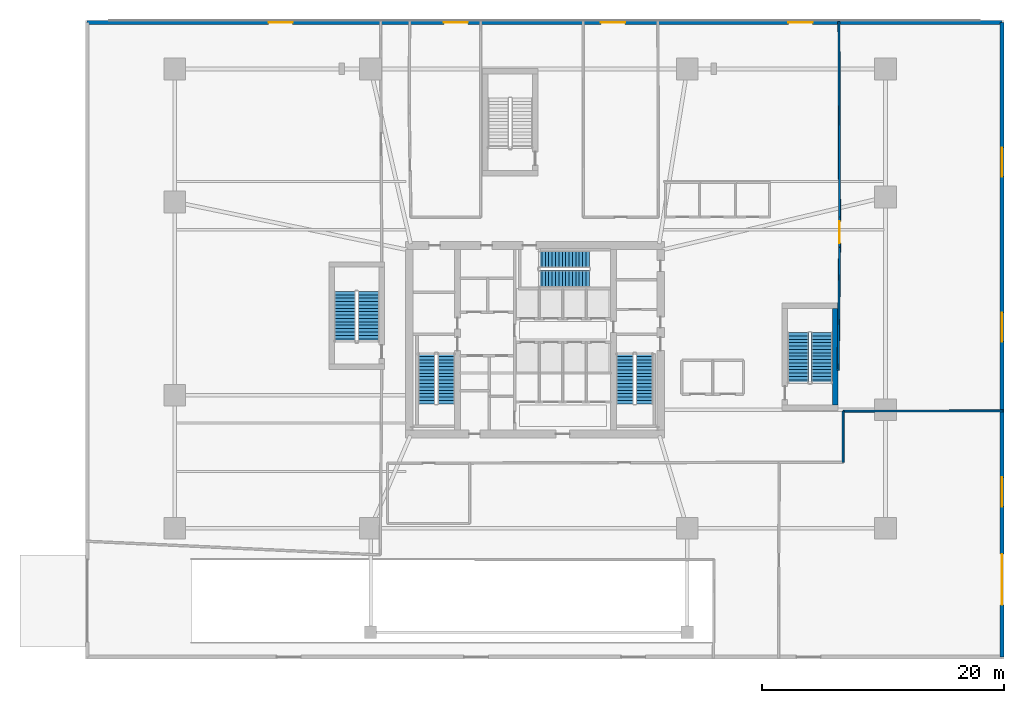
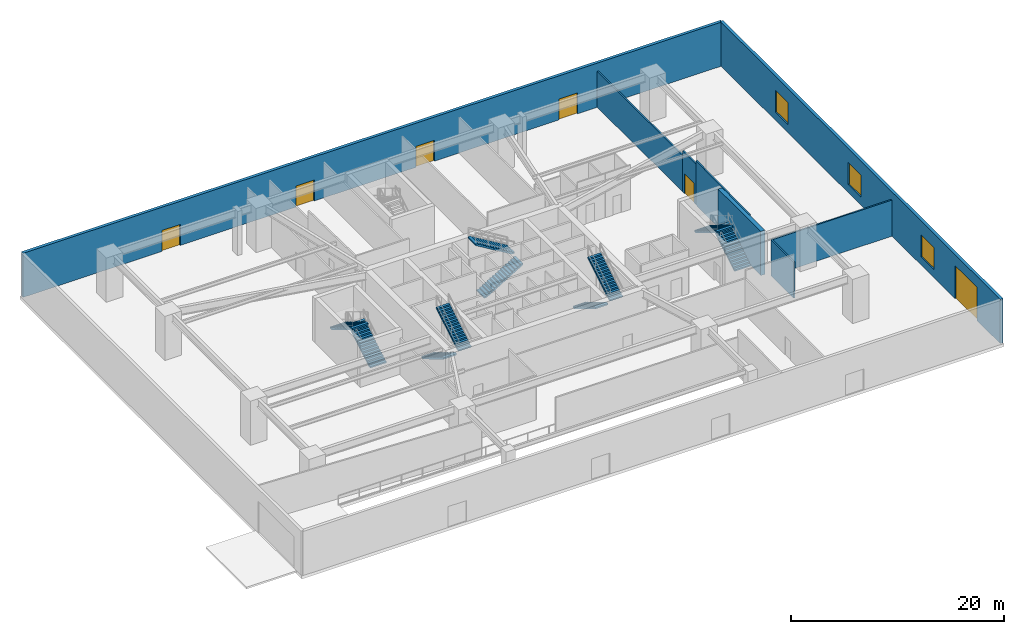
# One storey, part 8 of 13: 10 stair flights, 8 walls, 6 doors, 3 windows, 9 openings, 5 elements without a shape of their own.
"""IFC4 building model written with IfcOpenShell, lengths in metres."""

from ifc_helpers import new_model, si_unit, direction, frame, frame_2d, origin, place, context, subcontext, project, spatial, polyline, rectangle, outline, extrude, material, layer, layer_set, type_object, element, fill, aggregate, save


model = new_model("IFC4")

# Units and contexts
model_context = context("Model", 3, precision=1e-05, world=origin(), true_north=direction((0.0, 1.0)))
body_context = subcontext(model_context, "Body", "Model", "MODEL_VIEW")
ifc_project = project(units=[si_unit("LENGTHUNIT", "METRE"), si_unit("AREAUNIT", "SQUARE_METRE"), si_unit("VOLUMEUNIT", "CUBIC_METRE"), si_unit("PLANEANGLEUNIT", "RADIAN"), si_unit("MASSUNIT", "GRAM", prefix="KILO")], contexts=[model_context])

# Site, building, storey
site_placement = place(None, origin())
site = spatial("IfcSite", under=ifc_project, at=site_placement, CompositionType="ELEMENT")
building_placement = place(site_placement, origin())
building = spatial("IfcBuilding", under=site, at=building_placement, Name="Qarnah Convention Tower", CompositionType="ELEMENT")
storey_placement = place(building_placement, origin())
storey = spatial("IfcBuildingStorey", under=building, at=storey_placement, Name="L00", CompositionType="ELEMENT", Elevation=0.0)

# Walls
ifc_material_1 = material(Name="Gypsum partition board")
ifc_layer_1 = layer(ifc_material_1, 0.159912109375)
ifc_layer_set_1 = layer_set([ifc_layer_1], Name="Gypsum partition board")
wall_type_1 = type_object("IfcWallType", Name="WL-CORR-160", PredefinedType="PARTITIONING", material=ifc_layer_set_1)
wall_1_placement = place(storey_placement, frame((75.9208984375, 20.511962890625, 0.0), z_axis=(0.0, 0.0, 1.0), x_axis=(-0.999999591248, -0.000904158762, 0.0)))
element("IfcWall", 1, at=wall_1_placement, inside=storey, type_object=wall_type_1, Name="L00 interior wall IW-L00-R-22", PredefinedType="PARTITIONING", context=body_context, shape_type="SweptSolid", body=[
    extrude(rectangle(XDim=13.23095703125, YDim=0.159912109375, at=frame_2d((6.615478515625, 0.0))), origin(), (0.0, 0.0, 1.0), 4.135009765625),
])
wall_2_placement = place(storey_placement, frame((62.68994140625, 20.5, 0.0), z_axis=(0.0, 0.0, 1.0), x_axis=(0.0, -1.0, 0.0)))
element("IfcWall", 2, at=wall_2_placement, inside=storey, type_object=wall_type_1, Name="L00 interior wall IW-L00-R-23", PredefinedType="PARTITIONING", context=body_context, shape_type="SweptSolid", body=[
    extrude(rectangle(XDim=4.239990234375, YDim=0.159912109375, at=frame_2d((2.1201171875, 0.0))), origin(), (0.0, 0.0, 1.0), 4.135009765625),
])
wall_3_placement = place(storey_placement, frame((62.39990234375, 34.06005859375, 0.0), z_axis=(0.0, 0.0, 1.0), x_axis=(-0.011289371125, -0.999936273019, 0.0)))
element("IfcWall", 3, at=wall_3_placement, inside=storey, type_object=wall_type_1, Name="L00 interior wall IW-L00-R-25", PredefinedType="PARTITIONING", context=body_context, shape_type="SweptSolid", body=[
    extrude(rectangle(XDim=10.185791015625, YDim=0.159912109375, at=frame_2d((5.0927734375, 0.0))), origin(), (0.0, 0.0, 1.0), 5.050048828125),
])
wall_4_placement = place(storey_placement, frame((62.344970703125, 52.741943359375, 0.0), z_axis=(0.0, 0.0, 1.0), x_axis=(0.003390423983, -0.999994252496, 0.0)))
element("IfcWall", 4, at=wall_4_placement, inside=storey, type_object=wall_type_1, Name="L00 interior wall IW-L00-R-26", PredefinedType="PARTITIONING", context=body_context, shape_type="SweptSolid", body=[
    extrude(rectangle(XDim=16.201904296875, YDim=0.159912109375, at=frame_2d((8.10107421875, 0.0))), origin(), (0.0, 0.0, 1.0), 4.123046875),
])

# Wall, opening, door
wall_5_placement = place(storey_placement, frame((62.39990234375, 36.5400390625, 0.0), z_axis=(0.0, 0.0, 1.0), x_axis=(0.0, -1.0, 0.0)))
wall_5 = element("IfcWall", 5, at=wall_5_placement, inside=storey, type_object=wall_type_1, Name="L00 interior wall IW-L00-R-27", PredefinedType="PARTITIONING", context=body_context, shape_type="SweptSolid", body=[
    extrude(rectangle(XDim=2.47998046875, YDim=0.159912109375, at=frame_2d((1.239990234375, 0.0))), origin(), (0.0, 0.0, 1.0), 4.678955078125),
])
opening_1_placement = place(wall_5_placement, frame((0.340087890625, 0.0, 0.0)))
opening_1 = element("IfcOpeningElement", 6, at=opening_1_placement, cuts=wall_5, Name="Opening D-0026", PredefinedType="OPENING", context=body_context, shape_type="SweptSolid", body=[
    extrude(rectangle(XDim=1.800048828125, YDim=2.25, at=frame_2d((0.89990234375, 1.125))), frame((0.0, 0.08984375, 0.0), z_axis=(0.0, -1.0, 0.0), x_axis=(1.0, 0.0, 0.0)), (0.0, 0.0, 1.0), 0.179931640625),
])
ifc_material_2 = material(Name="Black anodised aluminium", Category="aluminium")
door_type_1 = type_object("IfcDoorType", Name="DT-HALL-DBL-1800", OperationType="DOUBLE_DOOR_SINGLE_SWING", PredefinedType="DOOR", material=ifc_material_2)
door_1_placement = place(opening_1_placement, origin())
door_1 = element("IfcDoor", 7, at=door_1_placement, inside=storey, type_object=door_type_1, Name="Door D-0026", OperationType="DOUBLE_DOOR_SINGLE_SWING", OverallHeight=2.25, OverallWidth=1.800048828125, PredefinedType="DOOR", context=body_context, shape_type="SweptSolid", body=[
    extrude(rectangle(XDim=1.800048828125, YDim=2.25, at=frame_2d((0.89990234375, 1.125))), frame((0.0, 0.02490234375, 0.0), z_axis=(0.0, -1.0, 0.0), x_axis=(1.0, 0.0, 0.0)), (0.0, 0.0, 1.0), 0.050048828125),
])
fill(opening_1, door_1)

# Wall, openings, doors
ifc_material_3 = material(Name="Precast concrete C45/55", Category="concrete")
ifc_layer_2 = layer(ifc_material_3, 0.320068359375)
ifc_layer_set_2 = layer_set([ifc_layer_2], Name="Precast concrete C45/55")
wall_type_2 = type_object("IfcWallType", Name="WL-EXT-POD-320", PredefinedType="SOLIDWALL", material=ifc_layer_set_2)
wall_6_placement = place(storey_placement, frame((0.159912109375, 52.639892578125, 0.0), z_axis=(0.0, 0.0, 1.0), x_axis=(1.0, 0.0, 0.0)))
wall_6 = element("IfcWall", 8, at=wall_6_placement, inside=storey, type_object=wall_type_2, Name="L00 precast facade wall N", PredefinedType="SOLIDWALL", context=body_context, shape_type="SweptSolid", body=[
    extrude(rectangle(XDim=75.68017578125, YDim=0.320068359375, at=frame_2d((37.840087890625, 0.0))), origin(), (0.0, 0.0, 1.0), 5.050048828125),
])
opening_2_placement = place(wall_6_placement, frame((15.0, 0.0, 0.0)))
opening_2 = element("IfcOpeningElement", 9, at=opening_2_placement, cuts=wall_6, Name="Opening ED-0005", PredefinedType="OPENING", context=body_context, shape_type="SweptSolid", body=[
    extrude(rectangle(XDim=2.0, YDim=2.39990234375, at=frame_2d((1.0, 1.199951171875))), frame((0.0, 0.169921875, 0.0), z_axis=(0.0, -1.0, 0.0), x_axis=(1.0, 0.0, 0.0)), (0.0, 0.0, 1.0), 0.340087890625),
])
opening_3_placement = place(wall_6_placement, frame((29.5, 0.0, 0.0)))
opening_3 = element("IfcOpeningElement", 10, at=opening_3_placement, cuts=wall_6, Name="Opening ED-0006", PredefinedType="OPENING", context=body_context, shape_type="SweptSolid", body=[
    extrude(rectangle(XDim=2.0, YDim=2.39990234375, at=frame_2d((1.0, 1.199951171875))), frame((0.0, 0.169921875, 0.0), z_axis=(0.0, -1.0, 0.0), x_axis=(1.0, 0.0, 0.0)), (0.0, 0.0, 1.0), 0.340087890625),
])
opening_4_placement = place(wall_6_placement, frame((42.5, 0.0, 0.0)))
opening_4 = element("IfcOpeningElement", 11, at=opening_4_placement, cuts=wall_6, Name="Opening ED-0007", PredefinedType="OPENING", context=body_context, shape_type="SweptSolid", body=[
    extrude(rectangle(XDim=2.0, YDim=2.39990234375, at=frame_2d((1.0, 1.199951171875))), frame((0.0, 0.169921875, 0.0), z_axis=(0.0, -1.0, 0.0), x_axis=(1.0, 0.0, 0.0)), (0.0, 0.0, 1.0), 0.340087890625),
])
opening_5_placement = place(wall_6_placement, frame((58.0, 0.0, 0.0)))
opening_5 = element("IfcOpeningElement", 12, at=opening_5_placement, cuts=wall_6, Name="Opening ED-0008", PredefinedType="OPENING", context=body_context, shape_type="SweptSolid", body=[
    extrude(rectangle(XDim=2.0, YDim=2.39990234375, at=frame_2d((1.0, 1.199951171875))), frame((0.0, 0.169921875, 0.0), z_axis=(0.0, -1.0, 0.0), x_axis=(1.0, 0.0, 0.0)), (0.0, 0.0, 1.0), 0.340087890625),
])
door_type_2 = type_object("IfcDoorType", Name="DT-EXT-DBL-2000", OperationType="DOUBLE_DOOR_SINGLE_SWING", PredefinedType="DOOR", material=ifc_material_2)
door_2_placement = place(opening_2_placement, origin())
door_2 = element("IfcDoor", 13, at=door_2_placement, inside=storey, type_object=door_type_2, Name="North concourse exit door ED-0005", OperationType="DOUBLE_DOOR_SINGLE_SWING", OverallHeight=2.39990234375, OverallWidth=2.0, PredefinedType="DOOR", context=body_context, shape_type="SweptSolid", body=[
    extrude(rectangle(XDim=2.0, YDim=2.39990234375, at=frame_2d((1.0, 1.199951171875))), frame((0.0, 0.02490234375, 0.0), z_axis=(0.0, -1.0, 0.0), x_axis=(1.0, 0.0, 0.0)), (0.0, 0.0, 1.0), 0.050048828125),
])
fill(opening_2, door_2)
door_3_placement = place(opening_3_placement, origin())
door_3 = element("IfcDoor", 14, at=door_3_placement, inside=storey, type_object=door_type_2, Name="North concourse exit door ED-0006", OperationType="DOUBLE_DOOR_SINGLE_SWING", OverallHeight=2.39990234375, OverallWidth=2.0, PredefinedType="DOOR", context=body_context, shape_type="SweptSolid", body=[
    extrude(rectangle(XDim=2.0, YDim=2.39990234375, at=frame_2d((1.0, 1.199951171875))), frame((0.0, 0.02490234375, 0.0), z_axis=(0.0, -1.0, 0.0), x_axis=(1.0, 0.0, 0.0)), (0.0, 0.0, 1.0), 0.050048828125),
])
fill(opening_3, door_3)
door_4_placement = place(opening_4_placement, origin())
door_4 = element("IfcDoor", 15, at=door_4_placement, inside=storey, type_object=door_type_2, Name="North concourse exit door ED-0007", OperationType="DOUBLE_DOOR_SINGLE_SWING", OverallHeight=2.39990234375, OverallWidth=2.0, PredefinedType="DOOR", context=body_context, shape_type="SweptSolid", body=[
    extrude(rectangle(XDim=2.0, YDim=2.39990234375, at=frame_2d((1.0, 1.199951171875))), frame((0.0, 0.02490234375, 0.0), z_axis=(0.0, -1.0, 0.0), x_axis=(1.0, 0.0, 0.0)), (0.0, 0.0, 1.0), 0.050048828125),
])
fill(opening_4, door_4)
door_5_placement = place(opening_5_placement, origin())
door_5 = element("IfcDoor", 16, at=door_5_placement, inside=storey, type_object=door_type_2, Name="North concourse exit door ED-0008", OperationType="DOUBLE_DOOR_SINGLE_SWING", OverallHeight=2.39990234375, OverallWidth=2.0, PredefinedType="DOOR", context=body_context, shape_type="SweptSolid", body=[
    extrude(rectangle(XDim=2.0, YDim=2.39990234375, at=frame_2d((1.0, 1.199951171875))), frame((0.0, 0.02490234375, 0.0), z_axis=(0.0, -1.0, 0.0), x_axis=(1.0, 0.0, 0.0)), (0.0, 0.0, 1.0), 0.050048828125),
])
fill(opening_5, door_5)

# Wall, openings, door, windows
wall_7_placement = place(storey_placement, frame((75.840087890625, 52.639892578125, 0.0), z_axis=(0.0, 0.0, 1.0), x_axis=(0.0, -1.0, 0.0)))
wall_7 = element("IfcWall", 17, at=wall_7_placement, inside=storey, type_object=wall_type_2, Name="L00 precast facade wall E", PredefinedType="SOLIDWALL", context=body_context, shape_type="SweptSolid", body=[
    extrude(rectangle(XDim=52.47998046875, YDim=0.320068359375, at=frame_2d((26.239990234375, 0.0))), origin(), (0.0, 0.0, 1.0), 5.050048828125),
])
opening_6_placement = place(wall_7_placement, frame((10.345947265625, 0.0, 0.949951171875)))
opening_6 = element("IfcOpeningElement", 18, at=opening_6_placement, cuts=wall_7, Name="Opening WN1", PredefinedType="OPENING", context=body_context, shape_type="SweptSolid", body=[
    extrude(rectangle(XDim=2.39990234375, YDim=2.5, at=frame_2d((1.199951171875, 1.25))), frame((0.0, 0.169921875, 0.0), z_axis=(0.0, -1.0, 0.0), x_axis=(1.0, 0.0, 0.0)), (0.0, 0.0, 1.0), 0.340087890625),
])
opening_7_placement = place(wall_7_placement, frame((23.989990234375, 0.0, 0.949951171875)))
opening_7 = element("IfcOpeningElement", 19, at=opening_7_placement, cuts=wall_7, Name="Opening WN1", PredefinedType="OPENING", context=body_context, shape_type="SweptSolid", body=[
    extrude(rectangle(XDim=2.39990234375, YDim=2.5, at=frame_2d((1.199951171875, 1.25))), frame((0.0, 0.169921875, 0.0), z_axis=(0.0, -1.0, 0.0), x_axis=(1.0, 0.0, 0.0)), (0.0, 0.0, 1.0), 0.340087890625),
])
opening_8_placement = place(wall_7_placement, frame((37.635009765625, 0.0, 0.949951171875)))
opening_8 = element("IfcOpeningElement", 20, at=opening_8_placement, cuts=wall_7, Name="Opening WN1", PredefinedType="OPENING", context=body_context, shape_type="SweptSolid", body=[
    extrude(rectangle(XDim=2.39990234375, YDim=2.5, at=frame_2d((1.199951171875, 1.25))), frame((0.0, 0.169921875, 0.0), z_axis=(0.0, -1.0, 0.0), x_axis=(1.0, 0.0, 0.0)), (0.0, 0.0, 1.0), 0.340087890625),
])
opening_9_placement = place(wall_7_placement, frame((43.97998046875, 0.0, 0.0)))
opening_9 = element("IfcOpeningElement", 21, at=opening_9_placement, cuts=wall_7, Name="Opening VG-0002", PredefinedType="OPENING", context=body_context, shape_type="SweptSolid", body=[
    extrude(rectangle(XDim=4.199951171875, YDim=3.800048828125, at=frame_2d((2.10009765625, 1.89990234375))), frame((0.0, 0.169921875, 0.0), z_axis=(0.0, -1.0, 0.0), x_axis=(1.0, 0.0, 0.0)), (0.0, 0.0, 1.0), 0.340087890625),
])
door_type_3 = type_object("IfcDoorType", Name="DT-LOAD-4200", OperationType="SLIDING_TO_LEFT", PredefinedType="GATE", material=ifc_material_2)
door_6_placement = place(opening_9_placement, origin())
door_6 = element("IfcDoor", 22, at=door_6_placement, inside=storey, type_object=door_type_3, Name="Goods loading bay shutter gate VG-0002", OperationType="SLIDING_TO_LEFT", OverallHeight=3.800048828125, OverallWidth=4.199951171875, PredefinedType="GATE", context=body_context, shape_type="SweptSolid", body=[
    extrude(rectangle(XDim=4.199951171875, YDim=3.800048828125, at=frame_2d((2.10009765625, 1.89990234375))), frame((0.0, 0.02490234375, 0.0), z_axis=(0.0, -1.0, 0.0), x_axis=(1.0, 0.0, 0.0)), (0.0, 0.0, 1.0), 0.050048828125),
])
fill(opening_9, door_6)
ifc_material_4 = material(Name="Tempered Low-E dark glass", Category="glass")
window_type = type_object("IfcWindowType", Name="WT-POD-2400X2600", PartitioningType="SINGLE_PANEL", PredefinedType="WINDOW", material=ifc_material_4)
window_1_placement = place(opening_6_placement, origin())
window_1 = element("IfcWindow", 23, at=window_1_placement, inside=storey, type_object=window_type, Name="Window WIN-L00-E1", OverallHeight=2.5, OverallWidth=2.39990234375, PartitioningType="SINGLE_PANEL", PredefinedType="WINDOW", context=body_context, shape_type="SweptSolid", body=[
    extrude(rectangle(XDim=2.39990234375, YDim=2.5, at=frame_2d((1.199951171875, 1.25))), frame((0.0, 0.030029296875, 0.0), z_axis=(0.0, -1.0, 0.0), x_axis=(1.0, 0.0, 0.0)), (0.0, 0.0, 1.0), 0.06005859375),
])
fill(opening_6, window_1)
window_2_placement = place(opening_7_placement, origin())
window_2 = element("IfcWindow", 24, at=window_2_placement, inside=storey, type_object=window_type, Name="Window WIN-L00-E2", OverallHeight=2.5, OverallWidth=2.39990234375, PartitioningType="SINGLE_PANEL", PredefinedType="WINDOW", context=body_context, shape_type="SweptSolid", body=[
    extrude(rectangle(XDim=2.39990234375, YDim=2.5, at=frame_2d((1.199951171875, 1.25))), frame((0.0, 0.030029296875, 0.0), z_axis=(0.0, -1.0, 0.0), x_axis=(1.0, 0.0, 0.0)), (0.0, 0.0, 1.0), 0.06005859375),
])
fill(opening_7, window_2)
window_3_placement = place(opening_8_placement, origin())
window_3 = element("IfcWindow", 25, at=window_3_placement, inside=storey, type_object=window_type, Name="Window WIN-L00-E3", OverallHeight=2.5, OverallWidth=2.39990234375, PartitioningType="SINGLE_PANEL", PredefinedType="WINDOW", context=body_context, shape_type="SweptSolid", body=[
    extrude(rectangle(XDim=2.39990234375, YDim=2.5, at=frame_2d((1.199951171875, 1.25))), frame((0.0, 0.030029296875, 0.0), z_axis=(0.0, -1.0, 0.0), x_axis=(1.0, 0.0, 0.0)), (0.0, 0.0, 1.0), 0.06005859375),
])
fill(opening_8, window_3)

# Wall
ifc_material_5 = material(Name="Concrete C60/75", Category="concrete")
ifc_layer_3 = layer(ifc_material_5, 0.449951171875)
ifc_layer_set_3 = layer_set([ifc_layer_3], Name="Concrete C60/75")
wall_type_3 = type_object("IfcWallType", Name="WL-POD-CORE-450", PredefinedType="SHEAR", material=ifc_layer_set_3)
wall_8_placement = place(storey_placement, frame((62.02490234375, 21.0, 0.0), z_axis=(0.0, 0.0, 1.0), x_axis=(0.0, 1.0, 0.0)))
element("IfcWall", 26, at=wall_8_placement, inside=storey, type_object=wall_type_3, Name="L00 podium stair ST-4 east wall", PredefinedType="SHEAR", context=body_context, shape_type="SweptSolid", body=[
    extrude(rectangle(XDim=8.0, YDim=0.449951171875, at=frame_2d((4.0, 0.0))), origin(), (0.0, 0.0, 1.0), 5.050048828125),
])

# Stair, stair flights
ifc_material_6 = material(Name="Concrete C50/60", Category="concrete")
stair_type_1 = type_object("IfcStairType", Name="STR-POD", PredefinedType="HALF_TURN_STAIR", material=ifc_material_6)
stair_1_placement = place(storey_placement, origin())
stair_1 = element("IfcStair", 27, at=stair_1_placement, inside=storey, type_object=stair_type_1, Name="L00 Core exit stair ST-1", PredefinedType="HALF_TURN_STAIR")
stair_flight_type_1 = type_object("IfcStairFlightType", Name="FLT-POD", PredefinedType="STRAIGHT", material=ifc_material_6)
stair_flight_1_placement = place(storey_placement, frame((28.25, 25.300048828125, 0.0), z_axis=(0.0, 0.0, 1.0), x_axis=(0.0, -1.0, 0.0)))
stair_flight_1 = element("IfcStairFlight", 28, at=stair_flight_1_placement, type_object=stair_flight_type_1, Name="ST-1 flight 1", NumberOfRisers=16, NumberOfTreads=15, PredefinedType="STRAIGHT", RiserHeight=0.16875, TreadLength=0.28, context=body_context, shape_type="SweptSolid", body=[
    extrude(outline(polyline([(0.0, 0.0), (0.0, 0.168701171875), (0.280029296875, 0.168701171875), (0.280029296875, 0.33740234375), (0.56005859375, 0.33740234375), (0.56005859375, 0.50634765625), (0.840087890625, 0.50634765625), (0.840087890625, 0.675048828125), (1.1201171875, 0.675048828125), (1.1201171875, 0.84375), (1.39990234375, 0.84375), (1.39990234375, 1.012451171875), (1.679931640625, 1.012451171875), (1.679931640625, 1.18115234375), (1.9599609375, 1.18115234375), (1.9599609375, 1.35009765625), (2.239990234375, 1.35009765625), (2.239990234375, 1.518798828125), (2.52001953125, 1.518798828125), (2.52001953125, 1.6875), (2.800048828125, 1.6875), (2.800048828125, 1.856201171875), (3.080078125, 1.856201171875), (3.080078125, 2.02490234375), (3.360107421875, 2.02490234375), (3.360107421875, 2.19384765625), (3.639892578125, 2.19384765625), (3.639892578125, 2.362548828125), (3.919921875, 2.362548828125), (3.919921875, 2.53125), (4.199951171875, 2.53125), (4.199951171875, 2.699951171875), (4.199951171875, 2.356201171875), (0.29052734375, 0.0), (0.0, 0.0)])), frame((0.0, 0.699951171875, 0.0), z_axis=(0.0, -1.0, 0.0), x_axis=(1.0, 0.0, 0.0)), (0.0, 0.0, 1.0), 1.39990234375),
])
stair_flight_2_placement = place(storey_placement, frame((29.85009765625, 21.10009765625, 2.699951171875), z_axis=(0.0, 0.0, 1.0), x_axis=(0.0, 1.0, 0.0)))
stair_flight_2 = element("IfcStairFlight", 29, at=stair_flight_2_placement, type_object=stair_flight_type_1, Name="ST-1 flight 2", NumberOfRisers=16, NumberOfTreads=15, PredefinedType="STRAIGHT", RiserHeight=0.16875, TreadLength=0.28, context=body_context, shape_type="SweptSolid", body=[
    extrude(outline(polyline([(0.0, 0.0), (0.0, 0.168701171875), (0.280029296875, 0.168701171875), (0.280029296875, 0.33740234375), (0.56005859375, 0.33740234375), (0.56005859375, 0.50634765625), (0.840087890625, 0.50634765625), (0.840087890625, 0.675048828125), (1.1201171875, 0.675048828125), (1.1201171875, 0.84375), (1.39990234375, 0.84375), (1.39990234375, 1.012451171875), (1.679931640625, 1.012451171875), (1.679931640625, 1.18115234375), (1.9599609375, 1.18115234375), (1.9599609375, 1.35009765625), (2.239990234375, 1.35009765625), (2.239990234375, 1.518798828125), (2.52001953125, 1.518798828125), (2.52001953125, 1.6875), (2.800048828125, 1.6875), (2.800048828125, 1.856201171875), (3.080078125, 1.856201171875), (3.080078125, 2.02490234375), (3.360107421875, 2.02490234375), (3.360107421875, 2.19384765625), (3.639892578125, 2.19384765625), (3.639892578125, 2.362548828125), (3.919921875, 2.362548828125), (3.919921875, 2.53125), (4.199951171875, 2.53125), (4.199951171875, 2.699951171875), (4.199951171875, 2.356201171875), (0.29052734375, 0.0), (0.0, 0.0)])), frame((0.0, 0.699951171875, 0.0), z_axis=(0.0, -1.0, 0.0), x_axis=(1.0, 0.0, 0.0)), (0.0, 0.0, 1.0), 1.39990234375),
])
aggregate(stair_1, [stair_flight_1, stair_flight_2])

stair_2_placement = place(storey_placement, origin())
stair_2 = element("IfcStair", 30, at=stair_2_placement, inside=storey, type_object=stair_type_1, Name="L00 Core exit stair ST-2", PredefinedType="HALF_TURN_STAIR")
stair_flight_3_placement = place(storey_placement, frame((44.64990234375, 25.300048828125, 0.0), z_axis=(0.0, 0.0, 1.0), x_axis=(0.0, -1.0, 0.0)))
stair_flight_3 = element("IfcStairFlight", 31, at=stair_flight_3_placement, type_object=stair_flight_type_1, Name="ST-2 flight 1", NumberOfRisers=16, NumberOfTreads=15, PredefinedType="STRAIGHT", RiserHeight=0.16875, TreadLength=0.28, context=body_context, shape_type="SweptSolid", body=[
    extrude(outline(polyline([(0.0, 0.0), (0.0, 0.168701171875), (0.280029296875, 0.168701171875), (0.280029296875, 0.33740234375), (0.56005859375, 0.33740234375), (0.56005859375, 0.50634765625), (0.840087890625, 0.50634765625), (0.840087890625, 0.675048828125), (1.1201171875, 0.675048828125), (1.1201171875, 0.84375), (1.39990234375, 0.84375), (1.39990234375, 1.012451171875), (1.679931640625, 1.012451171875), (1.679931640625, 1.18115234375), (1.9599609375, 1.18115234375), (1.9599609375, 1.35009765625), (2.239990234375, 1.35009765625), (2.239990234375, 1.518798828125), (2.52001953125, 1.518798828125), (2.52001953125, 1.6875), (2.800048828125, 1.6875), (2.800048828125, 1.856201171875), (3.080078125, 1.856201171875), (3.080078125, 2.02490234375), (3.360107421875, 2.02490234375), (3.360107421875, 2.19384765625), (3.639892578125, 2.19384765625), (3.639892578125, 2.362548828125), (3.919921875, 2.362548828125), (3.919921875, 2.53125), (4.199951171875, 2.53125), (4.199951171875, 2.699951171875), (4.199951171875, 2.356201171875), (0.29052734375, 0.0), (0.0, 0.0)])), frame((0.0, 0.699951171875, 0.0), z_axis=(0.0, -1.0, 0.0), x_axis=(1.0, 0.0, 0.0)), (0.0, 0.0, 1.0), 1.39990234375),
])
stair_flight_4_placement = place(storey_placement, frame((46.25, 21.10009765625, 2.699951171875), z_axis=(0.0, 0.0, 1.0), x_axis=(0.0, 1.0, 0.0)))
stair_flight_4 = element("IfcStairFlight", 32, at=stair_flight_4_placement, type_object=stair_flight_type_1, Name="ST-2 flight 2", NumberOfRisers=16, NumberOfTreads=15, PredefinedType="STRAIGHT", RiserHeight=0.16875, TreadLength=0.28, context=body_context, shape_type="SweptSolid", body=[
    extrude(outline(polyline([(0.0, 0.0), (0.0, 0.168701171875), (0.280029296875, 0.168701171875), (0.280029296875, 0.33740234375), (0.56005859375, 0.33740234375), (0.56005859375, 0.50634765625), (0.840087890625, 0.50634765625), (0.840087890625, 0.675048828125), (1.1201171875, 0.675048828125), (1.1201171875, 0.84375), (1.39990234375, 0.84375), (1.39990234375, 1.012451171875), (1.679931640625, 1.012451171875), (1.679931640625, 1.18115234375), (1.9599609375, 1.18115234375), (1.9599609375, 1.35009765625), (2.239990234375, 1.35009765625), (2.239990234375, 1.518798828125), (2.52001953125, 1.518798828125), (2.52001953125, 1.6875), (2.800048828125, 1.6875), (2.800048828125, 1.856201171875), (3.080078125, 1.856201171875), (3.080078125, 2.02490234375), (3.360107421875, 2.02490234375), (3.360107421875, 2.19384765625), (3.639892578125, 2.19384765625), (3.639892578125, 2.362548828125), (3.919921875, 2.362548828125), (3.919921875, 2.53125), (4.199951171875, 2.53125), (4.199951171875, 2.699951171875), (4.199951171875, 2.356201171875), (0.29052734375, 0.0), (0.0, 0.0)])), frame((0.0, 0.699951171875, 0.0), z_axis=(0.0, -1.0, 0.0), x_axis=(1.0, 0.0, 0.0)), (0.0, 0.0, 1.0), 1.39990234375),
])
aggregate(stair_2, [stair_flight_3, stair_flight_4])

stair_3_placement = place(storey_placement, origin())
stair_3 = element("IfcStair", 33, at=stair_3_placement, inside=storey, type_object=stair_type_1, Name="L00 Core exit stair ST-3", PredefinedType="HALF_TURN_STAIR")
stair_flight_5_placement = place(storey_placement, frame((37.5, 31.449951171875, 0.0), z_axis=(0.0, 0.0, 1.0), x_axis=(1.0, 0.0, 0.0)))
stair_flight_5 = element("IfcStairFlight", 34, at=stair_flight_5_placement, type_object=stair_flight_type_1, Name="ST-3 flight 1", NumberOfRisers=16, NumberOfTreads=15, PredefinedType="STRAIGHT", RiserHeight=0.16875, TreadLength=0.28, context=body_context, shape_type="SweptSolid", body=[
    extrude(outline(polyline([(0.0, 0.0), (0.0, 0.168701171875), (0.280029296875, 0.168701171875), (0.280029296875, 0.33740234375), (0.56005859375, 0.33740234375), (0.56005859375, 0.50634765625), (0.840087890625, 0.50634765625), (0.840087890625, 0.675048828125), (1.1201171875, 0.675048828125), (1.1201171875, 0.84375), (1.39990234375, 0.84375), (1.39990234375, 1.012451171875), (1.679931640625, 1.012451171875), (1.679931640625, 1.18115234375), (1.9599609375, 1.18115234375), (1.9599609375, 1.35009765625), (2.239990234375, 1.35009765625), (2.239990234375, 1.518798828125), (2.52001953125, 1.518798828125), (2.52001953125, 1.6875), (2.800048828125, 1.6875), (2.800048828125, 1.856201171875), (3.080078125, 1.856201171875), (3.080078125, 2.02490234375), (3.360107421875, 2.02490234375), (3.360107421875, 2.19384765625), (3.639892578125, 2.19384765625), (3.639892578125, 2.362548828125), (3.919921875, 2.362548828125), (3.919921875, 2.53125), (4.199951171875, 2.53125), (4.199951171875, 2.699951171875), (4.199951171875, 2.356201171875), (0.29052734375, 0.0), (0.0, 0.0)])), frame((0.0, 0.699951171875, 0.0), z_axis=(0.0, -1.0, 0.0), x_axis=(1.0, 0.0, 0.0)), (0.0, 0.0, 1.0), 1.39990234375),
])
stair_flight_6_placement = place(storey_placement, frame((41.699951171875, 33.050048828125, 2.699951171875), z_axis=(0.0, 0.0, 1.0), x_axis=(-1.0, 0.0, 0.0)))
stair_flight_6 = element("IfcStairFlight", 35, at=stair_flight_6_placement, type_object=stair_flight_type_1, Name="ST-3 flight 2", NumberOfRisers=16, NumberOfTreads=15, PredefinedType="STRAIGHT", RiserHeight=0.16875, TreadLength=0.28, context=body_context, shape_type="SweptSolid", body=[
    extrude(outline(polyline([(0.0, 0.0), (0.0, 0.168701171875), (0.280029296875, 0.168701171875), (0.280029296875, 0.33740234375), (0.56005859375, 0.33740234375), (0.56005859375, 0.50634765625), (0.840087890625, 0.50634765625), (0.840087890625, 0.675048828125), (1.1201171875, 0.675048828125), (1.1201171875, 0.84375), (1.39990234375, 0.84375), (1.39990234375, 1.012451171875), (1.679931640625, 1.012451171875), (1.679931640625, 1.18115234375), (1.9599609375, 1.18115234375), (1.9599609375, 1.35009765625), (2.239990234375, 1.35009765625), (2.239990234375, 1.518798828125), (2.52001953125, 1.518798828125), (2.52001953125, 1.6875), (2.800048828125, 1.6875), (2.800048828125, 1.856201171875), (3.080078125, 1.856201171875), (3.080078125, 2.02490234375), (3.360107421875, 2.02490234375), (3.360107421875, 2.19384765625), (3.639892578125, 2.19384765625), (3.639892578125, 2.362548828125), (3.919921875, 2.362548828125), (3.919921875, 2.53125), (4.199951171875, 2.53125), (4.199951171875, 2.699951171875), (4.199951171875, 2.356201171875), (0.29052734375, 0.0), (0.0, 0.0)])), frame((0.0, 0.699951171875, 0.0), z_axis=(0.0, -1.0, 0.0), x_axis=(1.0, 0.0, 0.0)), (0.0, 0.0, 1.0), 1.39990234375),
])
aggregate(stair_3, [stair_flight_5, stair_flight_6])

stair_type_2 = type_object("IfcStairType", Name="STR-PODW", PredefinedType="HALF_TURN_STAIR", material=ifc_material_6)
stair_4_placement = place(storey_placement, origin())
stair_4 = element("IfcStair", 36, at=stair_4_placement, inside=storey, type_object=stair_type_2, Name="L00 Podium east convention exit stair ST-4", PredefinedType="HALF_TURN_STAIR")
stair_flight_type_2 = type_object("IfcStairFlightType", Name="FLT-PODW", PredefinedType="STRAIGHT", material=ifc_material_6)
stair_flight_7_placement = place(storey_placement, frame((60.925048828125, 22.800048828125, 0.0), z_axis=(0.0, 0.0, 1.0), x_axis=(0.0, 1.0, 0.0)))
stair_flight_7 = element("IfcStairFlight", 37, at=stair_flight_7_placement, type_object=stair_flight_type_2, Name="ST-4 flight 1", NumberOfRisers=16, NumberOfTreads=15, PredefinedType="STRAIGHT", RiserHeight=0.16875, TreadLength=0.28, context=body_context, shape_type="SweptSolid", body=[
    extrude(outline(polyline([(0.0, 0.0), (0.0, 0.168701171875), (0.280029296875, 0.168701171875), (0.280029296875, 0.33740234375), (0.56005859375, 0.33740234375), (0.56005859375, 0.50634765625), (0.840087890625, 0.50634765625), (0.840087890625, 0.675048828125), (1.1201171875, 0.675048828125), (1.1201171875, 0.84375), (1.39990234375, 0.84375), (1.39990234375, 1.012451171875), (1.679931640625, 1.012451171875), (1.679931640625, 1.18115234375), (1.9599609375, 1.18115234375), (1.9599609375, 1.35009765625), (2.239990234375, 1.35009765625), (2.239990234375, 1.518798828125), (2.52001953125, 1.518798828125), (2.52001953125, 1.6875), (2.800048828125, 1.6875), (2.800048828125, 1.856201171875), (3.080078125, 1.856201171875), (3.080078125, 2.02490234375), (3.360107421875, 2.02490234375), (3.360107421875, 2.19384765625), (3.639892578125, 2.19384765625), (3.639892578125, 2.362548828125), (3.919921875, 2.362548828125), (3.919921875, 2.53125), (4.199951171875, 2.53125), (4.199951171875, 2.699951171875), (4.199951171875, 2.356201171875), (0.29052734375, 0.0), (0.0, 0.0)])), frame((0.0, 0.875, 0.0), z_axis=(0.0, -1.0, 0.0), x_axis=(1.0, 0.0, 0.0)), (0.0, 0.0, 1.0), 1.75),
])
stair_flight_8_placement = place(storey_placement, frame((58.97509765625, 27.0, 2.699951171875), z_axis=(0.0, 0.0, 1.0), x_axis=(0.0, -1.0, 0.0)))
stair_flight_8 = element("IfcStairFlight", 38, at=stair_flight_8_placement, type_object=stair_flight_type_2, Name="ST-4 flight 2", NumberOfRisers=16, NumberOfTreads=15, PredefinedType="STRAIGHT", RiserHeight=0.16875, TreadLength=0.28, context=body_context, shape_type="SweptSolid", body=[
    extrude(outline(polyline([(0.0, 0.0), (0.0, 0.168701171875), (0.280029296875, 0.168701171875), (0.280029296875, 0.33740234375), (0.56005859375, 0.33740234375), (0.56005859375, 0.50634765625), (0.840087890625, 0.50634765625), (0.840087890625, 0.675048828125), (1.1201171875, 0.675048828125), (1.1201171875, 0.84375), (1.39990234375, 0.84375), (1.39990234375, 1.012451171875), (1.679931640625, 1.012451171875), (1.679931640625, 1.18115234375), (1.9599609375, 1.18115234375), (1.9599609375, 1.35009765625), (2.239990234375, 1.35009765625), (2.239990234375, 1.518798828125), (2.52001953125, 1.518798828125), (2.52001953125, 1.6875), (2.800048828125, 1.6875), (2.800048828125, 1.856201171875), (3.080078125, 1.856201171875), (3.080078125, 2.02490234375), (3.360107421875, 2.02490234375), (3.360107421875, 2.19384765625), (3.639892578125, 2.19384765625), (3.639892578125, 2.362548828125), (3.919921875, 2.362548828125), (3.919921875, 2.53125), (4.199951171875, 2.53125), (4.199951171875, 2.699951171875), (4.199951171875, 2.356201171875), (0.29052734375, 0.0), (0.0, 0.0)])), frame((0.0, 0.875, 0.0), z_axis=(0.0, -1.0, 0.0), x_axis=(1.0, 0.0, 0.0)), (0.0, 0.0, 1.0), 1.75),
])
aggregate(stair_4, [stair_flight_7, stair_flight_8])

stair_5_placement = place(storey_placement, origin())
stair_5 = element("IfcStair", 39, at=stair_5_placement, inside=storey, type_object=stair_type_2, Name="L00 Podium west exhibition exit stair ST-5", PredefinedType="HALF_TURN_STAIR")
stair_flight_9_placement = place(storey_placement, frame((23.425048828125, 26.199951171875, 0.0), z_axis=(0.0, 0.0, 1.0), x_axis=(0.0, 1.0, 0.0)))
stair_flight_9 = element("IfcStairFlight", 40, at=stair_flight_9_placement, type_object=stair_flight_type_2, Name="ST-5 flight 1", NumberOfRisers=16, NumberOfTreads=15, PredefinedType="STRAIGHT", RiserHeight=0.16875, TreadLength=0.28, context=body_context, shape_type="SweptSolid", body=[
    extrude(outline(polyline([(0.0, 0.0), (0.0, 0.168701171875), (0.280029296875, 0.168701171875), (0.280029296875, 0.33740234375), (0.56005859375, 0.33740234375), (0.56005859375, 0.50634765625), (0.840087890625, 0.50634765625), (0.840087890625, 0.675048828125), (1.1201171875, 0.675048828125), (1.1201171875, 0.84375), (1.39990234375, 0.84375), (1.39990234375, 1.012451171875), (1.679931640625, 1.012451171875), (1.679931640625, 1.18115234375), (1.9599609375, 1.18115234375), (1.9599609375, 1.35009765625), (2.239990234375, 1.35009765625), (2.239990234375, 1.518798828125), (2.52001953125, 1.518798828125), (2.52001953125, 1.6875), (2.800048828125, 1.6875), (2.800048828125, 1.856201171875), (3.080078125, 1.856201171875), (3.080078125, 2.02490234375), (3.360107421875, 2.02490234375), (3.360107421875, 2.19384765625), (3.639892578125, 2.19384765625), (3.639892578125, 2.362548828125), (3.919921875, 2.362548828125), (3.919921875, 2.53125), (4.199951171875, 2.53125), (4.199951171875, 2.699951171875), (4.199951171875, 2.356201171875), (0.29052734375, 0.0), (0.0, 0.0)])), frame((0.0, 0.875, 0.0), z_axis=(0.0, -1.0, 0.0), x_axis=(1.0, 0.0, 0.0)), (0.0, 0.0, 1.0), 1.75),
])
stair_flight_10_placement = place(storey_placement, frame((21.47509765625, 30.39990234375, 2.699951171875), z_axis=(0.0, 0.0, 1.0), x_axis=(0.0, -1.0, 0.0)))
stair_flight_10 = element("IfcStairFlight", 41, at=stair_flight_10_placement, type_object=stair_flight_type_2, Name="ST-5 flight 2", NumberOfRisers=16, NumberOfTreads=15, PredefinedType="STRAIGHT", RiserHeight=0.16875, TreadLength=0.28, context=body_context, shape_type="SweptSolid", body=[
    extrude(outline(polyline([(0.0, 0.0), (0.0, 0.168701171875), (0.280029296875, 0.168701171875), (0.280029296875, 0.33740234375), (0.56005859375, 0.33740234375), (0.56005859375, 0.50634765625), (0.840087890625, 0.50634765625), (0.840087890625, 0.675048828125), (1.1201171875, 0.675048828125), (1.1201171875, 0.84375), (1.39990234375, 0.84375), (1.39990234375, 1.012451171875), (1.679931640625, 1.012451171875), (1.679931640625, 1.18115234375), (1.9599609375, 1.18115234375), (1.9599609375, 1.35009765625), (2.239990234375, 1.35009765625), (2.239990234375, 1.518798828125), (2.52001953125, 1.518798828125), (2.52001953125, 1.6875), (2.800048828125, 1.6875), (2.800048828125, 1.856201171875), (3.080078125, 1.856201171875), (3.080078125, 2.02490234375), (3.360107421875, 2.02490234375), (3.360107421875, 2.19384765625), (3.639892578125, 2.19384765625), (3.639892578125, 2.362548828125), (3.919921875, 2.362548828125), (3.919921875, 2.53125), (4.199951171875, 2.53125), (4.199951171875, 2.699951171875), (4.199951171875, 2.356201171875), (0.29052734375, 0.0), (0.0, 0.0)])), frame((0.0, 0.875, 0.0), z_axis=(0.0, -1.0, 0.0), x_axis=(1.0, 0.0, 0.0)), (0.0, 0.0, 1.0), 1.75),
])
aggregate(stair_5, [stair_flight_9, stair_flight_10])

save(model, "model.ifc")
